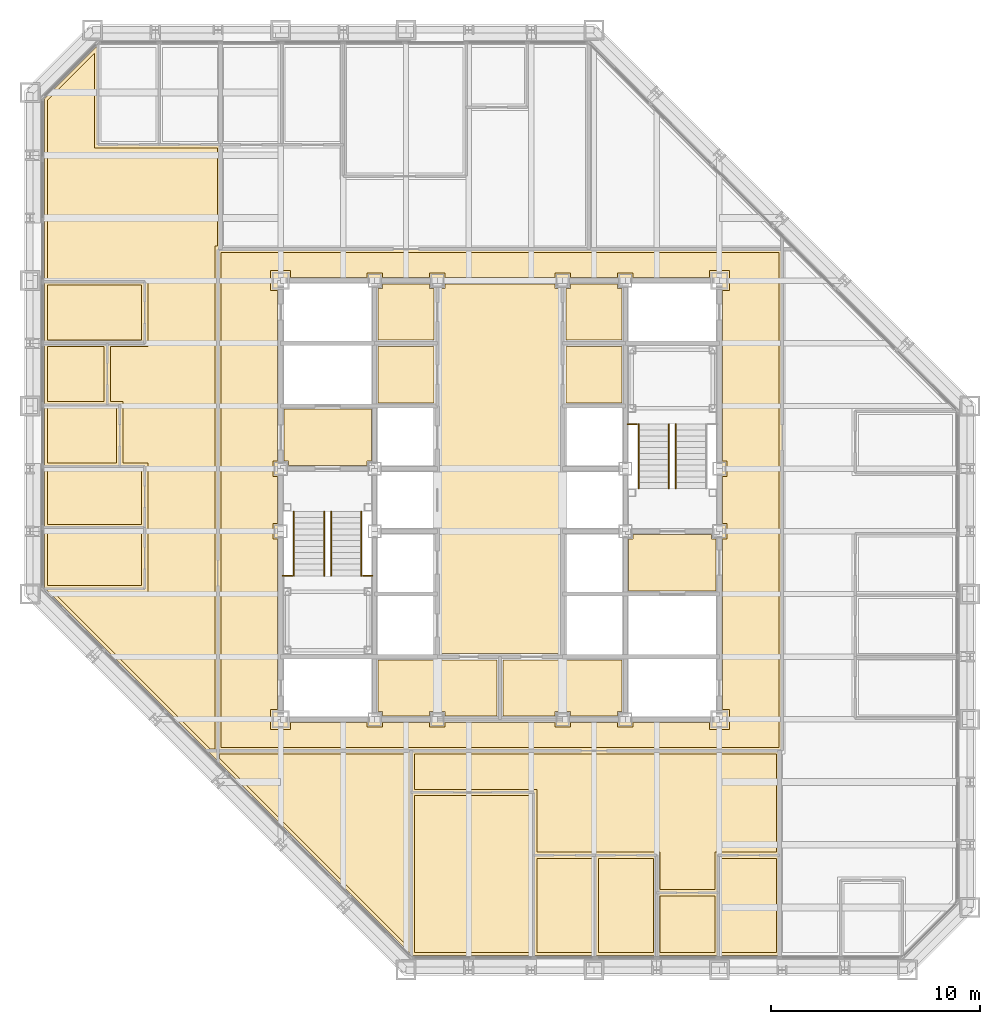
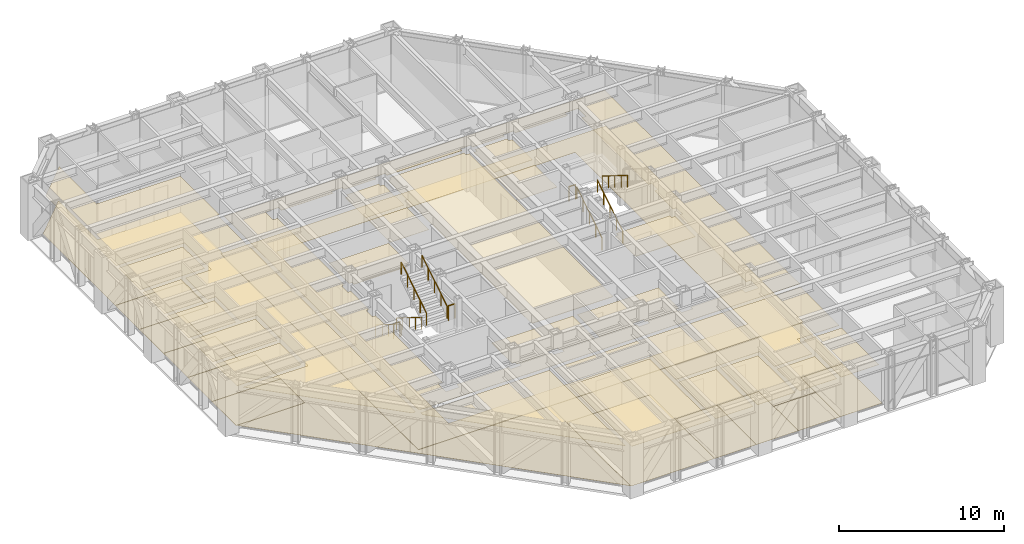
# One storey, part 14 of 16: 36 coverings, 10 railings.
"""IFC4 building model written with IfcOpenShell, lengths in metres."""

from ifc_helpers import new_model, si_unit, direction, frame, origin, origin_2d, place, context, subcontext, project, spatial, polyline, circle, outline, extrude, material, layer, layer_set, type_object, element, save


model = new_model("IFC4")

# Units and contexts
model_context = context("Model", 3, precision=1e-05, world=origin(), true_north=direction((0.0, 1.0)))
body_context = subcontext(model_context, "Body", "Model", "MODEL_VIEW")
ifc_project = project(units=[si_unit("LENGTHUNIT", "METRE"), si_unit("AREAUNIT", "SQUARE_METRE"), si_unit("VOLUMEUNIT", "CUBIC_METRE"), si_unit("PLANEANGLEUNIT", "RADIAN"), si_unit("MASSUNIT", "GRAM", prefix="KILO")], contexts=[model_context])

# Site, building, storey
site_placement = place(None, origin())
site = spatial("IfcSite", under=ifc_project, at=site_placement, CompositionType="ELEMENT")
building_placement = place(site_placement, origin())
building = spatial("IfcBuilding", under=site, at=building_placement, Name="Chuquiago Exchange Tower", CompositionType="ELEMENT")
storey_placement = place(building_placement, frame((0.0, 0.0, 144.60009765625)))
storey = spatial("IfcBuildingStorey", under=building, at=storey_placement, Name="L31", CompositionType="ELEMENT", Elevation=144.60009765625)

# Coverings
ifc_material_1 = material(Name="Mineral fibre tile, 600 x 600, on pale metal grid", Category="mineral fibre")
ifc_layer_1 = layer(ifc_material_1, 0.02001953125)
ifc_layer_set_1 = layer_set([ifc_layer_1], Name="CL1 suspended tile ceiling 20")
covering_type_1 = type_object("IfcCoveringType", Name="CL1 suspended tile ceiling 20", PredefinedType="CEILING", material=ifc_layer_set_1)
covering_1_placement = place(storey_placement, frame((0.0, 0.0, 2.7998046875)))
element("IfcCovering", 1, at=covering_1_placement, inside=storey, type_object=covering_type_1, Name="Ceiling Training room", PredefinedType="CEILING", context=body_context, shape_type="SweptSolid", body=[
    extrude(outline(polyline([(18.3984375, 8.35009765625), (23.974365234375, 8.35009765625), (23.974365234375, 0.85009765625), (18.3984375, 0.85009765625), (18.3984375, 8.35009765625)])), origin(), (0.0, 0.0, 1.0), 0.02001953125),
])
covering_2_placement = place(storey_placement, frame((0.0, 0.0, 2.7998046875)))
element("IfcCovering", 2, at=covering_2_placement, inside=storey, type_object=covering_type_1, Name="Ceiling Office", PredefinedType="CEILING", context=body_context, shape_type="SweptSolid", body=[
    extrude(outline(polyline([(24.2744140625, 5.35009765625), (26.912109375, 5.35009765625), (26.912109375, 0.85009765625), (24.2744140625, 0.85009765625), (24.2744140625, 5.35009765625)])), origin(), (0.0, 0.0, 1.0), 0.02001953125),
])
covering_3_placement = place(storey_placement, frame((0.0, 0.0, 2.7998046875)))
element("IfcCovering", 3, at=covering_3_placement, inside=storey, type_object=covering_type_1, Name="Ceiling Office", PredefinedType="CEILING", context=body_context, shape_type="SweptSolid", body=[
    extrude(outline(polyline([(27.212158203125, 5.35009765625), (29.85009765625, 5.35009765625), (29.85009765625, 0.85009765625), (27.212158203125, 0.85009765625), (27.212158203125, 5.35009765625)])), origin(), (0.0, 0.0, 1.0), 0.02001953125),
])
covering_4_placement = place(storey_placement, frame((0.0, 0.0, 2.7998046875)))
element("IfcCovering", 4, at=covering_4_placement, inside=storey, type_object=covering_type_1, Name="Ceiling Focus room", PredefinedType="CEILING", context=body_context, shape_type="SweptSolid", body=[
    extrude(outline(polyline([(30.14990234375, 3.550048828125), (32.787841796875, 3.550048828125), (32.787841796875, 0.85009765625), (30.14990234375, 0.85009765625), (30.14990234375, 3.550048828125)])), origin(), (0.0, 0.0, 1.0), 0.02001953125),
])
covering_5_placement = place(storey_placement, frame((0.0, 0.0, 2.7998046875)))
element("IfcCovering", 5, at=covering_5_placement, inside=storey, type_object=covering_type_1, Name="Ceiling Office", PredefinedType="CEILING", context=body_context, shape_type="SweptSolid", body=[
    extrude(outline(polyline([(33.087890625, 5.35009765625), (35.7255859375, 5.35009765625), (35.7255859375, 0.85009765625), (33.087890625, 0.85009765625), (33.087890625, 5.35009765625)])), origin(), (0.0, 0.0, 1.0), 0.02001953125),
])
covering_6_placement = place(storey_placement, frame((0.0, 0.0, 2.7998046875)))
element("IfcCovering", 6, at=covering_6_placement, inside=storey, type_object=covering_type_1, Name="Ceiling Office", PredefinedType="CEILING", context=body_context, shape_type="SweptSolid", body=[
    extrude(outline(polyline([(0.85009765625, 21.036376953125), (5.35009765625, 21.036376953125), (5.35009765625, 18.3984375), (0.85009765625, 18.3984375), (0.85009765625, 21.036376953125)])), origin(), (0.0, 0.0, 1.0), 0.02001953125),
])
covering_7_placement = place(storey_placement, frame((0.0, 0.0, 2.7998046875)))
element("IfcCovering", 7, at=covering_7_placement, inside=storey, type_object=covering_type_1, Name="Ceiling Office", PredefinedType="CEILING", context=body_context, shape_type="SweptSolid", body=[
    extrude(outline(polyline([(5.35009765625, 23.974365234375), (5.35009765625, 21.33642578125), (0.85009765625, 21.33642578125), (0.85009765625, 23.974365234375), (5.35009765625, 23.974365234375)])), origin(), (0.0, 0.0, 1.0), 0.02001953125),
])
covering_8_placement = place(storey_placement, frame((0.0, 0.0, 2.7998046875)))
element("IfcCovering", 8, at=covering_8_placement, inside=storey, type_object=covering_type_1, Name="Ceiling Pantry", PredefinedType="CEILING", context=body_context, shape_type="SweptSolid", body=[
    extrude(outline(polyline([(4.14990234375, 26.912109375), (4.14990234375, 24.2744140625), (0.85009765625, 24.2744140625), (0.85009765625, 26.912109375), (4.14990234375, 26.912109375)])), origin(), (0.0, 0.0, 1.0), 0.02001953125),
])
covering_9_placement = place(storey_placement, frame((0.0, 0.0, 2.7998046875)))
element("IfcCovering", 9, at=covering_9_placement, inside=storey, type_object=covering_type_1, Name="Ceiling Focus room", PredefinedType="CEILING", context=body_context, shape_type="SweptSolid", body=[
    extrude(outline(polyline([(3.550048828125, 29.85009765625), (3.550048828125, 27.212158203125), (0.85009765625, 27.212158203125), (0.85009765625, 29.85009765625), (3.550048828125, 29.85009765625)])), origin(), (0.0, 0.0, 1.0), 0.02001953125),
])
covering_10_placement = place(storey_placement, frame((0.0, 0.0, 2.7998046875)))
element("IfcCovering", 10, at=covering_10_placement, inside=storey, type_object=covering_type_1, Name="Ceiling Meeting room", PredefinedType="CEILING", context=body_context, shape_type="SweptSolid", body=[
    extrude(outline(polyline([(5.35009765625, 32.787841796875), (5.35009765625, 30.14990234375), (0.85009765625, 30.14990234375), (0.85009765625, 32.787841796875), (5.35009765625, 32.787841796875)])), origin(), (0.0, 0.0, 1.0), 0.02001953125),
])
covering_11_placement = place(storey_placement, frame((0.0, 0.0, 2.7998046875)))
element("IfcCovering", 11, at=covering_11_placement, inside=storey, type_object=covering_type_1, Name="Ceiling Open office south suite", PredefinedType="CEILING", context=body_context, shape_type="SweptSolid", body=[
    extrude(outline(polyline([(32.787841796875, 3.85009765625), (30.14990234375, 3.85009765625), (30.14990234375, 5.64990234375), (24.2744140625, 5.64990234375), (24.2744140625, 8.64990234375), (18.39892578125, 8.64990234375), (18.39892578125, 10.349609375), (35.72509765625, 10.349609375), (35.72509765625, 5.64990234375), (32.787841796875, 5.64990234375), (32.787841796875, 3.85009765625)])), origin(), (0.0, 0.0, 1.0), 0.02001953125),
])
covering_12_placement = place(storey_placement, frame((0.0, 0.0, 2.7998046875)))
element("IfcCovering", 12, at=covering_12_placement, inside=storey, type_object=covering_type_1, Name="Ceiling Open office west suite", PredefinedType="CEILING", context=body_context, shape_type="SweptSolid", body=[
    extrude(outline(polyline([(3.098388671875, 39.35009765625), (8.973876953125, 39.35009765625), (8.973876953125, 34.64990234375), (8.849609375, 34.6494140625), (8.849609375, 10.5849609375), (8.616943359375, 10.5849609375), (1.103515625, 18.098388671875), (5.64990234375, 18.098388671875), (5.64990234375, 24.2744140625), (4.449951171875, 24.2744140625), (4.449951171875, 27.212158203125), (3.85009765625, 27.212158203125), (3.85009765625, 29.85009765625), (5.64990234375, 29.85009765625), (5.64990234375, 33.087890625), (0.85009765625, 33.087890625), (0.85009765625, 41.64794921875), (3.098388671875, 43.896484375), (3.098388671875, 39.35009765625)])), origin(), (0.0, 0.0, 1.0), 0.02001953125),
])
covering_13_placement = place(storey_placement, frame((0.0, 0.0, 2.7998046875)))
element("IfcCovering", 13, at=covering_13_placement, inside=storey, type_object=covering_type_1, Name="Ceiling Open office west suite", PredefinedType="CEILING", context=body_context, shape_type="SweptSolid", body=[
    extrude(outline(polyline([(18.097900390625, 10.349609375), (18.097900390625, 1.10400390625), (9.0849609375, 10.116943359375), (9.0849609375, 10.349853515625), (18.097900390625, 10.349609375)])), origin(), (0.0, 0.0, 1.0), 0.02001953125),
])
covering_14_placement = place(storey_placement, frame((0.0, 0.0, 2.7998046875)))
element("IfcCovering", 14, at=covering_14_placement, inside=storey, type_object=covering_type_1, Name="Ceiling Tenant corridor", PredefinedType="CEILING", context=body_context, shape_type="SweptSolid", body=[
    extrude(outline(polyline([(9.14990234375, 34.35009765625), (35.85009765625, 34.35009765625), (35.85009765625, 10.64990234375), (9.14990234375, 10.64990234375), (9.14990234375, 34.35009765625)]), holes=[polyline([(11.85009765625, 24.375), (11.625, 24.375), (11.625, 23.625), (11.85009765625, 23.625), (11.85009765625, 21.375), (11.625, 21.375), (11.625, 20.625), (11.85009765625, 20.625), (11.85009765625, 12.47509765625), (11.52490234375, 12.47509765625), (11.52490234375, 11.52490234375), (12.47509765625, 11.52490234375), (12.47509765625, 11.85009765625), (16.125, 11.85009765625), (16.125, 11.625), (16.875, 11.625), (16.875, 11.85009765625), (19.125, 11.85009765625), (19.125, 11.625), (19.875, 11.625), (19.875, 11.85009765625), (25.125, 11.85009765625), (25.125, 11.625), (25.875, 11.625), (25.875, 11.85009765625), (28.125, 11.85009765625), (28.125, 11.625), (28.875, 11.625), (28.875, 11.85009765625), (32.52490234375, 11.85009765625), (32.52490234375, 11.52490234375), (33.47509765625, 11.52490234375), (33.47509765625, 12.47509765625), (33.14990234375, 12.47509765625), (33.14990234375, 20.625), (33.375, 20.625), (33.375, 21.375), (33.14990234375, 21.375), (33.14990234375, 23.625), (33.375, 23.625), (33.375, 24.375), (33.14990234375, 24.375), (33.14990234375, 32.52490234375), (33.47509765625, 32.52490234375), (33.47509765625, 33.47509765625), (32.52490234375, 33.47509765625), (32.52490234375, 33.14990234375), (28.875, 33.14990234375), (28.875, 33.375), (28.125, 33.375), (28.125, 33.14990234375), (25.875, 33.14990234375), (25.875, 33.375), (25.125, 33.375), (25.125, 33.14990234375), (19.875, 33.14990234375), (19.875, 33.375), (19.125, 33.375), (19.125, 33.14990234375), (16.875, 33.14990234375), (16.875, 33.375), (16.125, 33.375), (16.125, 33.14990234375), (12.47509765625, 33.14990234375), (12.47509765625, 33.47509765625), (11.52490234375, 33.47509765625), (11.52490234375, 32.52490234375), (11.85009765625, 32.52490234375), (11.85009765625, 24.375)])]), origin(), (0.0, 0.0, 1.0), 0.02001953125),
])
covering_15_placement = place(storey_placement, frame((0.0, 0.0, 2.7998046875)))
element("IfcCovering", 15, at=covering_15_placement, inside=storey, type_object=covering_type_1, Name="Ceiling Baby change room", PredefinedType="CEILING", context=body_context, shape_type="SweptSolid", body=[
    extrude(outline(polyline([(25.64990234375, 30.14990234375), (25.64990234375, 32.625), (25.875, 32.625), (25.875, 32.85009765625), (28.125, 32.85009765625), (28.125, 32.625), (28.35009765625, 32.625), (28.35009765625, 30.14990234375), (25.64990234375, 30.14990234375)])), origin(), (0.0, 0.0, 1.0), 0.02001953125),
])
ifc_material_2 = material(Name="Moisture resistant plasterboard on metal frame", Category="gypsum")
ifc_layer_2 = layer(ifc_material_2, 0.014892578125)
ifc_layer_set_2 = layer_set([ifc_layer_2], Name="CL2 moisture resistant ceiling 15")
covering_type_2 = type_object("IfcCoveringType", Name="CL2 moisture resistant ceiling 15", PredefinedType="CEILING", material=ifc_layer_set_2)
covering_16_placement = place(storey_placement, frame((0.0, 0.0, 2.599853515625)))
element("IfcCovering", 16, at=covering_16_placement, inside=storey, type_object=covering_type_2, Name="Ceiling Male WC", PredefinedType="CEILING", context=body_context, shape_type="SweptSolid", body=[
    extrude(outline(polyline([(16.64990234375, 27.14990234375), (16.64990234375, 29.85009765625), (19.35009765625, 29.85009765625), (19.35009765625, 27.14990234375), (16.64990234375, 27.14990234375)])), origin(), (0.0, 0.0, 1.0), 0.01513671875),
])
covering_17_placement = place(storey_placement, frame((0.0, 0.0, 2.599853515625)))
element("IfcCovering", 17, at=covering_17_placement, inside=storey, type_object=covering_type_2, Name="Ceiling Staff shower room", PredefinedType="CEILING", context=body_context, shape_type="SweptSolid", body=[
    extrude(outline(polyline([(16.64990234375, 30.14990234375), (16.64990234375, 32.625), (16.875, 32.625), (16.875, 32.85009765625), (19.125, 32.85009765625), (19.125, 32.625), (19.35009765625, 32.625), (19.35009765625, 30.14990234375), (16.64990234375, 30.14990234375)])), origin(), (0.0, 0.0, 1.0), 0.01513671875),
])
covering_18_placement = place(storey_placement, frame((0.0, 0.0, 2.599853515625)))
element("IfcCovering", 18, at=covering_18_placement, inside=storey, type_object=covering_type_2, Name="Ceiling Female WC", PredefinedType="CEILING", context=body_context, shape_type="SweptSolid", body=[
    extrude(outline(polyline([(25.64990234375, 27.14990234375), (25.64990234375, 29.85009765625), (28.35009765625, 29.85009765625), (28.35009765625, 27.14990234375), (25.64990234375, 27.14990234375)])), origin(), (0.0, 0.0, 1.0), 0.01513671875),
])
covering_19_placement = place(storey_placement, frame((0.0, 0.0, 2.599853515625)))
element("IfcCovering", 19, at=covering_19_placement, inside=storey, type_object=covering_type_2, Name="Ceiling Accessible WC", PredefinedType="CEILING", context=body_context, shape_type="SweptSolid", body=[
    extrude(outline(polyline([(25.875, 12.14990234375), (25.875, 12.375), (25.125, 12.375), (25.125, 12.14990234375), (22.64990234375, 12.14990234375), (22.64990234375, 14.85009765625), (28.35009765625, 14.85009765625), (28.35009765625, 12.375), (28.125, 12.375), (28.125, 12.14990234375), (25.875, 12.14990234375)])), origin(), (0.0, 0.0, 1.0), 0.01513671875),
])
covering_20_placement = place(storey_placement, frame((0.0, 0.0, 2.599853515625)))
element("IfcCovering", 20, at=covering_20_placement, inside=storey, type_object=covering_type_2, Name="Ceiling Cleaner", PredefinedType="CEILING", context=body_context, shape_type="SweptSolid", body=[
    extrude(outline(polyline([(19.875, 12.14990234375), (19.875, 12.375), (19.125, 12.375), (19.125, 12.14990234375), (16.875, 12.14990234375), (16.875, 12.375), (16.64990234375, 12.375), (16.64990234375, 14.85009765625), (22.35009765625, 14.85009765625), (22.35009765625, 12.14990234375), (19.875, 12.14990234375)])), origin(), (0.0, 0.0, 1.0), 0.01513671875),
])
ifc_material_3 = material(Name="Pale metal plank ceiling, perforated", Category="aluminium")
ifc_layer_3 = layer(ifc_material_3, 0.030029296875)
ifc_layer_set_3 = layer_set([ifc_layer_3], Name="CL3 metal plank ceiling 30")
covering_type_3 = type_object("IfcCoveringType", Name="CL3 metal plank ceiling 30", PredefinedType="CEILING", material=ifc_layer_set_3)
covering_21_placement = place(storey_placement, frame((0.0, 0.0, 2.7998046875)))
element("IfcCovering", 21, at=covering_21_placement, inside=storey, type_object=covering_type_3, Name="Ceiling Lift lobby", PredefinedType="CEILING", context=body_context, shape_type="SweptSolid", body=[
    extrude(outline(polyline([(19.64990234375, 15.14990234375), (19.64990234375, 32.625), (19.875, 32.625), (19.875, 32.85009765625), (25.125, 32.85009765625), (25.125, 32.625), (25.35009765625, 32.625), (25.35009765625, 15.14990234375), (19.64990234375, 15.14990234375)])), origin(), (0.0, 0.0, 1.0), 0.030029296875),
])
covering_22_placement = place(storey_placement, frame((0.0, 0.0, 2.7998046875)))
element("IfcCovering", 22, at=covering_22_placement, inside=storey, type_object=covering_type_3, Name="Ceiling Firefighting lobby", PredefinedType="CEILING", context=body_context, shape_type="SweptSolid", body=[
    extrude(outline(polyline([(12.375, 24.14990234375), (12.375, 24.375), (12.14990234375, 24.375), (12.14990234375, 26.85009765625), (16.35009765625, 26.85009765625), (16.35009765625, 24.375), (16.125, 24.375), (16.125, 24.14990234375), (12.375, 24.14990234375)])), origin(), (0.0, 0.0, 1.0), 0.030029296875),
])
covering_23_placement = place(storey_placement, frame((0.0, 0.0, 2.7998046875)))
element("IfcCovering", 23, at=covering_23_placement, inside=storey, type_object=covering_type_3, Name="Ceiling Firefighting lobby", PredefinedType="CEILING", context=body_context, shape_type="SweptSolid", body=[
    extrude(outline(polyline([(28.64990234375, 18.14990234375), (28.64990234375, 20.625), (28.875, 20.625), (28.875, 20.85009765625), (32.625, 20.85009765625), (32.625, 20.625), (32.85009765625, 20.625), (32.85009765625, 18.14990234375), (28.64990234375, 18.14990234375)])), origin(), (0.0, 0.0, 1.0), 0.030029296875),
])
ifc_material_4 = material(Name="Carpet tile, 500 x 500, on the floor slab", Category="textile")
ifc_layer_4 = layer(ifc_material_4, 0.010009765625)
ifc_layer_set_4 = layer_set([ifc_layer_4], Name="FL1 carpet tile 10")
covering_type_4 = type_object("IfcCoveringType", Name="FL1 carpet tile 10", PredefinedType="FLOORING", material=ifc_layer_set_4)
covering_24_placement = place(storey_placement, origin())
element("IfcCovering", 24, at=covering_24_placement, inside=storey, type_object=covering_type_4, Name="Floor finish Training room", PredefinedType="FLOORING", context=body_context, shape_type="SweptSolid", body=[
    extrude(outline(polyline([(18.289794921875, 0.699951171875), (18.24853515625, 0.741455078125), (18.24853515625, 8.5), (24.124267578125, 8.5), (24.124267578125, 0.699951171875), (18.289794921875, 0.699951171875)])), origin(), (0.0, 0.0, 1.0), 0.010009765625),
])
covering_25_placement = place(storey_placement, origin())
element("IfcCovering", 25, at=covering_25_placement, inside=storey, type_object=covering_type_4, Name="Floor finish Office", PredefinedType="FLOORING", context=body_context, shape_type="SweptSolid", body=[
    extrude(outline(polyline([(24.124267578125, 0.699951171875), (24.124267578125, 5.5), (27.06201171875, 5.5), (27.06201171875, 0.699951171875), (24.124267578125, 0.699951171875)])), origin(), (0.0, 0.0, 1.0), 0.010009765625),
])
covering_26_placement = place(storey_placement, origin())
element("IfcCovering", 26, at=covering_26_placement, inside=storey, type_object=covering_type_4, Name="Floor finish Office", PredefinedType="FLOORING", context=body_context, shape_type="SweptSolid", body=[
    extrude(outline(polyline([(27.06201171875, 0.699951171875), (27.06201171875, 5.5), (30.0, 5.5), (30.0, 0.699951171875), (27.06201171875, 0.699951171875)])), origin(), (0.0, 0.0, 1.0), 0.010009765625),
])
covering_27_placement = place(storey_placement, origin())
element("IfcCovering", 27, at=covering_27_placement, inside=storey, type_object=covering_type_4, Name="Floor finish Focus room", PredefinedType="FLOORING", context=body_context, shape_type="SweptSolid", body=[
    extrude(outline(polyline([(30.0, 0.699951171875), (30.0, 3.699951171875), (32.93798828125, 3.699951171875), (32.93798828125, 0.699951171875), (30.0, 0.699951171875)])), origin(), (0.0, 0.0, 1.0), 0.010009765625),
])
covering_28_placement = place(storey_placement, origin())
element("IfcCovering", 28, at=covering_28_placement, inside=storey, type_object=covering_type_4, Name="Floor finish Office", PredefinedType="FLOORING", context=body_context, shape_type="SweptSolid", body=[
    extrude(outline(polyline([(32.93798828125, 0.699951171875), (32.93798828125, 5.5), (35.875732421875, 5.5), (35.875732421875, 0.699951171875), (32.93798828125, 0.699951171875)])), origin(), (0.0, 0.0, 1.0), 0.010009765625),
])
covering_29_placement = place(storey_placement, origin())
element("IfcCovering", 29, at=covering_29_placement, inside=storey, type_object=covering_type_4, Name="Floor finish Office", PredefinedType="FLOORING", context=body_context, shape_type="SweptSolid", body=[
    extrude(outline(polyline([(0.699951171875, 21.186279296875), (5.5, 21.186279296875), (5.5, 18.24853515625), (0.741455078125, 18.24853515625), (0.699951171875, 18.289794921875), (0.699951171875, 21.186279296875)])), origin(), (0.0, 0.0, 1.0), 0.010009765625),
])
covering_30_placement = place(storey_placement, origin())
element("IfcCovering", 30, at=covering_30_placement, inside=storey, type_object=covering_type_4, Name="Floor finish Office", PredefinedType="FLOORING", context=body_context, shape_type="SweptSolid", body=[
    extrude(outline(polyline([(0.699951171875, 24.124267578125), (5.5, 24.124267578125), (5.5, 21.186279296875), (0.699951171875, 21.186279296875), (0.699951171875, 24.124267578125)])), origin(), (0.0, 0.0, 1.0), 0.010009765625),
])
covering_31_placement = place(storey_placement, origin())
element("IfcCovering", 31, at=covering_31_placement, inside=storey, type_object=covering_type_4, Name="Floor finish Focus room", PredefinedType="FLOORING", context=body_context, shape_type="SweptSolid", body=[
    extrude(outline(polyline([(0.699951171875, 30.0), (3.699951171875, 30.0), (3.699951171875, 27.06201171875), (0.699951171875, 27.06201171875), (0.699951171875, 30.0)])), origin(), (0.0, 0.0, 1.0), 0.010009765625),
])
covering_32_placement = place(storey_placement, origin())
element("IfcCovering", 32, at=covering_32_placement, inside=storey, type_object=covering_type_4, Name="Floor finish Meeting room", PredefinedType="FLOORING", context=body_context, shape_type="SweptSolid", body=[
    extrude(outline(polyline([(0.699951171875, 32.93798828125), (5.5, 32.93798828125), (5.5, 30.0), (0.699951171875, 30.0), (0.699951171875, 32.93798828125)])), origin(), (0.0, 0.0, 1.0), 0.010009765625),
])
covering_33_placement = place(storey_placement, origin())
element("IfcCovering", 33, at=covering_33_placement, inside=storey, type_object=covering_type_4, Name="Floor finish Open office south suite", PredefinedType="FLOORING", context=body_context, shape_type="SweptSolid", body=[
    extrude(outline(polyline([(32.93798828125, 5.5), (32.93798828125, 3.699951171875), (30.0, 3.699951171875), (30.0, 5.5), (24.124267578125, 5.5), (24.124267578125, 8.5), (18.2490234375, 8.5), (18.2490234375, 10.49951171875), (35.875244140625, 10.49951171875), (35.875244140625, 5.5), (32.93798828125, 5.5)])), origin(), (0.0, 0.0, 1.0), 0.010009765625),
])
covering_34_placement = place(storey_placement, origin())
element("IfcCovering", 34, at=covering_34_placement, inside=storey, type_object=covering_type_4, Name="Floor finish Open office west suite", PredefinedType="FLOORING", context=body_context, shape_type="SweptSolid", body=[
    extrude(outline(polyline([(3.24853515625, 44.258544921875), (3.24853515625, 39.5), (9.123779296875, 39.5), (9.123779296875, 34.50048828125), (8.99951171875, 34.5), (8.99951171875, 10.5), (18.248046875, 10.49951171875), (18.248046875, 0.741943359375), (0.741455078125, 18.24853515625), (5.5, 18.24853515625), (5.5, 24.124267578125), (4.300048828125, 24.124267578125), (4.300048828125, 27.06201171875), (3.699951171875, 27.06201171875), (3.699951171875, 30.0), (5.5, 30.0), (5.5, 32.93798828125), (0.699951171875, 32.93798828125), (0.699951171875, 41.710205078125), (3.289794921875, 44.300048828125), (3.24853515625, 44.258544921875)])), origin(), (0.0, 0.0, 1.0), 0.010009765625),
])
ifc_material_5 = material(Name="Porcelain floor tile, 600 x 600, on adhesive bed", Category="ceramic")
ifc_layer_5 = layer(ifc_material_5, 0.014892578125)
ifc_layer_set_5 = layer_set([ifc_layer_5], Name="FL2 porcelain tile 15")
covering_type_5 = type_object("IfcCoveringType", Name="FL2 porcelain tile 15", PredefinedType="FLOORING", material=ifc_layer_set_5)
covering_35_placement = place(storey_placement, origin())
element("IfcCovering", 35, at=covering_35_placement, inside=storey, type_object=covering_type_5, Name="Floor finish Pantry", PredefinedType="FLOORING", context=body_context, shape_type="SweptSolid", body=[
    extrude(outline(polyline([(0.699951171875, 27.06201171875), (4.300048828125, 27.06201171875), (4.300048828125, 24.124267578125), (0.699951171875, 24.124267578125), (0.699951171875, 27.06201171875)])), origin(), (0.0, 0.0, 1.0), 0.014892578125),
])
covering_36_placement = place(storey_placement, origin())
element("IfcCovering", 36, at=covering_36_placement, inside=storey, type_object=covering_type_5, Name="Floor finish Tenant corridor", PredefinedType="FLOORING", context=body_context, shape_type="SweptSolid", body=[
    extrude(outline(polyline([(9.0, 10.5), (9.0, 34.5), (36.0, 34.5), (36.0, 10.5), (9.0, 10.5)]), holes=[polyline([(12.0, 33.0), (12.0, 12.0), (33.0, 12.0), (33.0, 33.0), (12.0, 33.0)])]), origin(), (0.0, 0.0, 1.0), 0.014892578125),
])

# Railings
ifc_material_6 = material(Name="Pale metal guard with safety glass infill", Category="glass")
railing_type_1 = type_object("IfcRailingType", Name="GR1 guard 1100", PredefinedType="GUARDRAIL", material=ifc_material_6)
for number, where, name in (
    (37, (12.10009765625, 18.8701171875, 2.099853515625), "Guard ST1 L31 landing 2"),
    (38, (15.945068359375, 18.8701171875, 2.099853515625), "Guard ST1 L31 landing 2"),
    (39, (28.60009765625, 26.1298828125, 2.099853515625), "Guard ST2 L31 landing 2"),
):
    element("IfcRailing", number, at=place(storey_placement, frame(where)), inside=storey, type_object=railing_type_1, Name=name, PredefinedType="GUARDRAIL", context=body_context, shape_type="SweptSolid", body=[
        extrude(circle(Radius=0.02392578125, at=origin_2d()), frame((0.0, 0.0, 1.076171875), z_axis=(1.0, 0.0, 0.0), x_axis=(0.0, 1.0, 0.0)), (0.0, 0.0, 1.0), 0.454833984375),
        extrude(circle(Radius=0.02099609375, at=origin_2d()), origin(), (0.0, 0.0, 1.0), 1.052001953125),
        extrude(circle(Radius=0.02099609375, at=origin_2d()), frame((0.454833984375, 0.0, 0.0)), (0.0, 0.0, 1.0), 1.052001953125),
    ])
ifc_material_7 = material(Name="Pale metal handrail", Category="steel")
railing_type_2 = type_object("IfcRailingType", Name="HR1 handrail 900", PredefinedType="HANDRAIL", material=ifc_material_7)
for number, where, name in (
    (40, (12.635009765625, 21.949951171875, 0.1748046875), "Handrail ST1 L31 flight 1"),
    (41, (14.0849609375, 21.949951171875, 0.1748046875), "Handrail ST1 L31 flight 1"),
):
    element("IfcRailing", number, at=place(storey_placement, frame(where)), inside=storey, type_object=railing_type_2, Name=name, PredefinedType="HANDRAIL", context=body_context, shape_type="SweptSolid", body=[
        extrude(circle(Radius=0.02392578125, at=origin_2d()), frame((0.0, 0.0, 0.8759765625), z_axis=(0.0, -0.847979421464, 0.530029150871), x_axis=(1.0, 0.0, 0.0)), (0.0, 0.0, 1.0), 3.632080078125),
        extrude(circle(Radius=0.02099609375, at=origin_2d()), origin(), (0.0, 0.0, 1.0), 0.851806640625),
        extrude(circle(Radius=0.02099609375, at=origin_2d()), frame((0.0, -0.77001953125, 0.481201171875)), (0.0, 0.0, 1.0), 0.851806640625),
        extrude(circle(Radius=0.02099609375, at=origin_2d()), frame((0.0, -1.5400390625, 0.96240234375)), (0.0, 0.0, 1.0), 0.851806640625),
        extrude(circle(Radius=0.02099609375, at=origin_2d()), frame((0.0, -2.309814453125, 1.44384765625)), (0.0, 0.0, 1.0), 0.851806640625),
        extrude(circle(Radius=0.02099609375, at=origin_2d()), frame((0.0, -3.079833984375, 1.925048828125)), (0.0, 0.0, 1.0), 0.851806640625),
    ])
for number, where, name in (
    (42, (15.864990234375, 18.8701171875, 2.27490234375), "Handrail ST1 L31 flight 2"),
    (43, (14.4150390625, 18.8701171875, 2.27490234375), "Handrail ST1 L31 flight 2"),
    (44, (30.5849609375, 23.050048828125, 0.1748046875), "Handrail ST2 L31 flight 1"),
    (45, (29.135009765625, 23.050048828125, 0.1748046875), "Handrail ST2 L31 flight 1"),
):
    element("IfcRailing", number, at=place(storey_placement, frame(where)), inside=storey, type_object=railing_type_2, Name=name, PredefinedType="HANDRAIL", context=body_context, shape_type="SweptSolid", body=[
        extrude(circle(Radius=0.02392578125, at=origin_2d()), frame((0.0, 0.0, 0.8759765625), z_axis=(0.0, 0.847979421464, 0.530029150871), x_axis=(-1.0, 0.0, 0.0)), (0.0, 0.0, 1.0), 3.632080078125),
        extrude(circle(Radius=0.02099609375, at=origin_2d()), origin(), (0.0, 0.0, 1.0), 0.851806640625),
        extrude(circle(Radius=0.02099609375, at=origin_2d()), frame((0.0, 0.77001953125, 0.481201171875)), (0.0, 0.0, 1.0), 0.851806640625),
        extrude(circle(Radius=0.02099609375, at=origin_2d()), frame((0.0, 1.5400390625, 0.96240234375)), (0.0, 0.0, 1.0), 0.851806640625),
        extrude(circle(Radius=0.02099609375, at=origin_2d()), frame((0.0, 2.309814453125, 1.44384765625)), (0.0, 0.0, 1.0), 0.851806640625),
        extrude(circle(Radius=0.02099609375, at=origin_2d()), frame((0.0, 3.079833984375, 1.925048828125)), (0.0, 0.0, 1.0), 0.851806640625),
    ])
railing_placement = place(storey_placement, frame((30.9150390625, 26.1298828125, 2.27490234375)))
element("IfcRailing", 46, at=railing_placement, inside=storey, type_object=railing_type_2, Name="Handrail ST2 L31 flight 2", PredefinedType="HANDRAIL", context=body_context, shape_type="SweptSolid", body=[
    extrude(circle(Radius=0.02392578125, at=origin_2d()), frame((0.0, 0.0, 0.8759765625), z_axis=(0.0, -0.847979421464, 0.530029150871), x_axis=(1.0, 0.0, 0.0)), (0.0, 0.0, 1.0), 3.632080078125),
    extrude(circle(Radius=0.02099609375, at=origin_2d()), origin(), (0.0, 0.0, 1.0), 0.851806640625),
    extrude(circle(Radius=0.02099609375, at=origin_2d()), frame((0.0, -0.77001953125, 0.481201171875)), (0.0, 0.0, 1.0), 0.851806640625),
    extrude(circle(Radius=0.02099609375, at=origin_2d()), frame((0.0, -1.5400390625, 0.96240234375)), (0.0, 0.0, 1.0), 0.851806640625),
    extrude(circle(Radius=0.02099609375, at=origin_2d()), frame((0.0, -2.309814453125, 1.44384765625)), (0.0, 0.0, 1.0), 0.851806640625),
    extrude(circle(Radius=0.02099609375, at=origin_2d()), frame((0.0, -3.079833984375, 1.925048828125)), (0.0, 0.0, 1.0), 0.851806640625),
])

save(model, "model.ifc")
